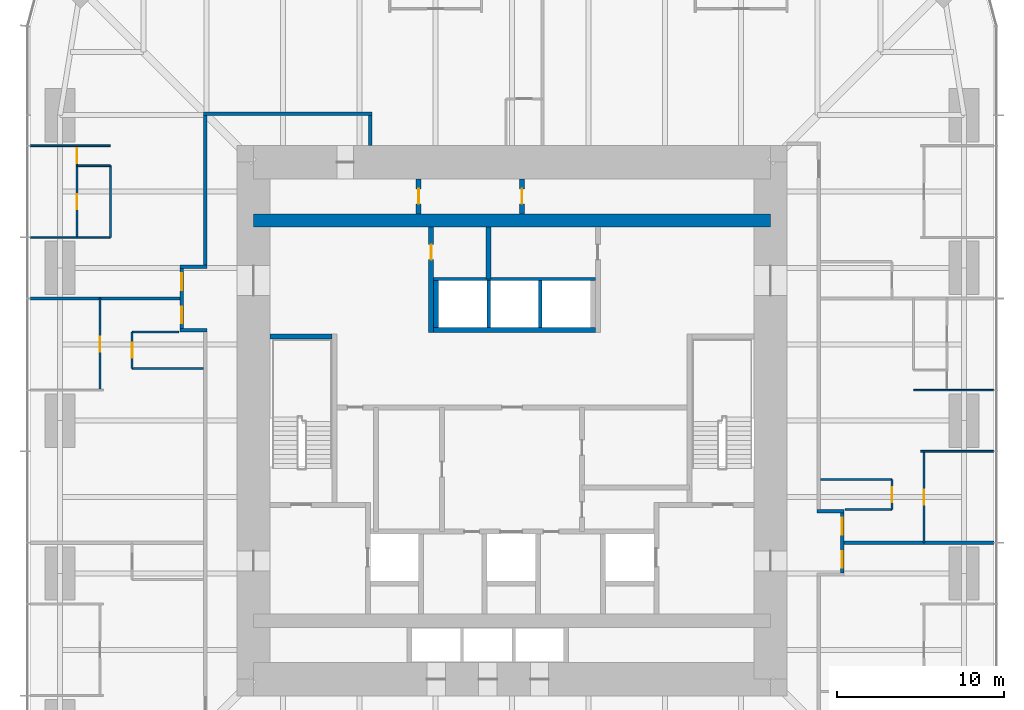
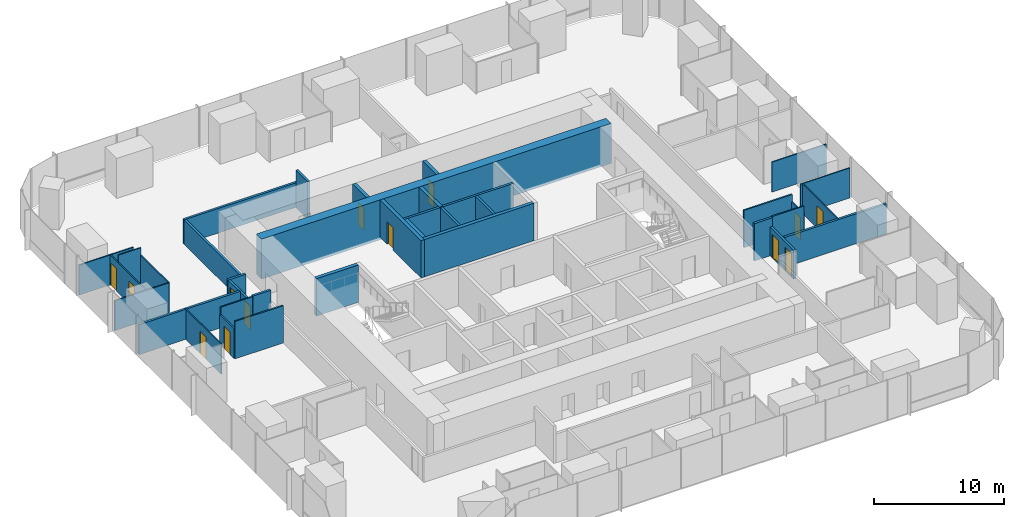
# One storey, part 11 of 13: 36 walls, 13 doors, 13 openings.
"""IFC4 building model written with IfcOpenShell, lengths in metres."""

from ifc_helpers import new_model, si_unit, direction, frame, frame_2d, origin, place, context, subcontext, project, spatial, rectangle, extrude, material, layer, layer_set, type_object, element, fill, save


model = new_model("IFC4")

# Units and contexts
model_context = context("Model", 3, precision=1e-05, world=origin(), true_north=direction((0.0, 1.0)))
body_context = subcontext(model_context, "Body", "Model", "MODEL_VIEW")
ifc_project = project(units=[si_unit("LENGTHUNIT", "METRE"), si_unit("AREAUNIT", "SQUARE_METRE"), si_unit("VOLUMEUNIT", "CUBIC_METRE"), si_unit("PLANEANGLEUNIT", "RADIAN"), si_unit("MASSUNIT", "GRAM", prefix="KILO")], contexts=[model_context])

# Site, building, storey
site_placement = place(None, origin())
site = spatial("IfcSite", under=ifc_project, at=site_placement, CompositionType="ELEMENT")
building_placement = place(site_placement, origin())
building = spatial("IfcBuilding", under=site, at=building_placement, Name="Khuree Lantern Residences", CompositionType="ELEMENT")
storey_placement = place(building_placement, frame((0.0, 0.0, 129.75)))
storey = spatial("IfcBuildingStorey", under=building, at=storey_placement, Name="L32", CompositionType="ELEMENT", Elevation=129.75)

# Wall, opening, door
ifc_material_1 = material(Name="Moisture-resistant gypsum board on steel studs", Category="steel")
ifc_layer_1 = layer(ifc_material_1, 0.125)
ifc_layer_set_1 = layer_set([ifc_layer_1], Name="BATHROOM WALL BTW125")
wall_type_1 = type_object("IfcWallType", Name="BATHROOM WALL BTW125", PredefinedType="PARTITIONING", material=ifc_layer_set_1)
wall_1_placement = place(storey_placement, frame((22.77978515625, -5.327880859375, 0.0), z_axis=(0.0, 0.0, 1.0), x_axis=(0.0, 1.0, 0.0)))
wall_1 = element("IfcWall", 1, at=wall_1_placement, inside=storey, type_object=wall_type_1, Name="L32 BATHROOM WALL 01", PredefinedType="PARTITIONING", context=body_context, shape_type="SweptSolid", body=[
    extrude(rectangle(XDim=1.7998046875, YDim=0.125, at=frame_2d((0.89990234375, 0.0))), origin(), (0.0, 0.0, 1.0), 2.81005859375),
])
opening_1_placement = place(wall_1_placement, frame((0.449951171875, 0.0, 0.0)))
opening_1 = element("IfcOpeningElement", 2, at=opening_1_placement, cuts=wall_1, Name="Opening 32-028", PredefinedType="OPENING", context=body_context, shape_type="SweptSolid", body=[
    extrude(rectangle(XDim=0.89990234375, YDim=2.10009765625, at=frame_2d((0.449951171875, 1.050048828125))), frame((0.0, 0.072509765625, 0.0), z_axis=(0.0, -1.0, 0.0), x_axis=(1.0, 0.0, 0.0)), (0.0, 0.0, 1.0), 0.14501953125),
])
ifc_material_2 = material(Name="Timber door leaf in hardwood frame", Category="wood")
door_type_1 = type_object("IfcDoorType", Name="BATHROOM DOOR 900X2100", OperationType="SINGLE_SWING_LEFT", PredefinedType="DOOR", material=ifc_material_2)
door_1_placement = place(opening_1_placement, origin())
door_1 = element("IfcDoor", 3, at=door_1_placement, inside=storey, type_object=door_type_1, Name="Bathroom door 32-028", OperationType="SINGLE_SWING_LEFT", OverallHeight=2.10009765625, OverallWidth=0.89990234375, PredefinedType="DOOR", context=body_context, shape_type="SweptSolid", body=[
    extrude(rectangle(XDim=0.89990234375, YDim=2.10009765625, at=frame_2d((0.449951171875, 1.050048828125))), frame((0.0, 0.02490234375, 0.0), z_axis=(0.0, -1.0, 0.0), x_axis=(1.0, 0.0, 0.0)), (0.0, 0.0, 1.0), 0.050048828125),
])
fill(opening_1, door_1)

# Walls
wall_2_placement = place(storey_placement, frame((19.969970703125, -5.327880859375, 0.0), z_axis=(0.0, 0.0, 1.0), x_axis=(1.0, 0.0, 0.0)))
element("IfcWall", 4, at=wall_2_placement, inside=storey, type_object=wall_type_1, Name="L32 BATHROOM WALL 01", PredefinedType="PARTITIONING", context=body_context, shape_type="SweptSolid", body=[
    extrude(rectangle(XDim=2.809814453125, YDim=0.125, at=frame_2d((1.40478515625, 0.0))), origin(), (0.0, 0.0, 1.0), 3.5),
])
wall_3_placement = place(storey_placement, frame((18.5, -3.528076171875, 0.0), z_axis=(0.0, 0.0, 1.0), x_axis=(1.0, 0.0, 0.0)))
element("IfcWall", 5, at=wall_3_placement, inside=storey, type_object=wall_type_1, Name="L32 BATHROOM WALL 01", PredefinedType="PARTITIONING", context=body_context, shape_type="SweptSolid", body=[
    extrude(rectangle(XDim=4.27978515625, YDim=0.125, at=frame_2d((2.139892578125, 0.0))), origin(), (0.0, 0.0, 1.0), 3.5),
])

# Wall, opening, door
wall_4_placement = place(storey_placement, frame((-22.77978515625, 5.327880859375, 0.0), z_axis=(0.0, 0.0, 1.0), x_axis=(0.0, -1.0, 0.0)))
wall_4 = element("IfcWall", 6, at=wall_4_placement, inside=storey, type_object=wall_type_1, Name="L32 BATHROOM WALL 04", PredefinedType="PARTITIONING", context=body_context, shape_type="SweptSolid", body=[
    extrude(rectangle(XDim=2.199951171875, YDim=0.125, at=frame_2d((1.10009765625, 0.0))), origin(), (0.0, 0.0, 1.0), 2.81005859375),
])
opening_2_placement = place(wall_4_placement, frame((0.64990234375, 0.0, 0.0)))
opening_2 = element("IfcOpeningElement", 7, at=opening_2_placement, cuts=wall_4, Name="Opening 32-040", PredefinedType="OPENING", context=body_context, shape_type="SweptSolid", body=[
    extrude(rectangle(XDim=0.89990234375, YDim=2.10009765625, at=frame_2d((0.449951171875, 1.050048828125))), frame((0.0, 0.072509765625, 0.0), z_axis=(0.0, -1.0, 0.0), x_axis=(1.0, 0.0, 0.0)), (0.0, 0.0, 1.0), 0.14501953125),
])
door_2_placement = place(opening_2_placement, origin())
door_2 = element("IfcDoor", 8, at=door_2_placement, inside=storey, type_object=door_type_1, Name="Bathroom door 32-040", OperationType="SINGLE_SWING_LEFT", OverallHeight=2.10009765625, OverallWidth=0.89990234375, PredefinedType="DOOR", context=body_context, shape_type="SweptSolid", body=[
    extrude(rectangle(XDim=0.89990234375, YDim=2.10009765625, at=frame_2d((0.449951171875, 1.050048828125))), frame((0.0, 0.02490234375, 0.0), z_axis=(0.0, -1.0, 0.0), x_axis=(1.0, 0.0, 0.0)), (0.0, 0.0, 1.0), 0.050048828125),
])
fill(opening_2, door_2)

# Walls
wall_5_placement = place(storey_placement, frame((-19.969970703125, 5.327880859375, 0.0), z_axis=(0.0, 0.0, 1.0), x_axis=(-1.0, 0.0, 0.0)))
element("IfcWall", 9, at=wall_5_placement, inside=storey, type_object=wall_type_1, Name="L32 BATHROOM WALL 04", PredefinedType="PARTITIONING", context=body_context, shape_type="SweptSolid", body=[
    extrude(rectangle(XDim=2.809814453125, YDim=0.125, at=frame_2d((1.40478515625, 0.0))), origin(), (0.0, 0.0, 1.0), 3.5),
])
wall_6_placement = place(storey_placement, frame((-18.5, 3.1279296875, 0.0), z_axis=(0.0, 0.0, 1.0), x_axis=(-1.0, 0.0, 0.0)))
element("IfcWall", 10, at=wall_6_placement, inside=storey, type_object=wall_type_1, Name="L32 BATHROOM WALL 04", PredefinedType="PARTITIONING", context=body_context, shape_type="SweptSolid", body=[
    extrude(rectangle(XDim=4.27978515625, YDim=0.125, at=frame_2d((2.139892578125, 0.0))), origin(), (0.0, 0.0, 1.0), 3.5),
])
ifc_material_3 = material(Name="Dense concrete blockwork", Category="masonry")
ifc_layer_2 = layer(ifc_material_3, 0.300048828125)
ifc_layer_set_2 = layer_set([ifc_layer_2], Name="CORE PARTITION WALL CPW300 EI 120")
wall_type_2 = type_object("IfcWallType", Name="CORE PARTITION WALL CPW300 EI 120", PredefinedType="PARTITIONING", material=ifc_layer_set_2)
wall_7_placement = place(storey_placement, frame((-4.699951171875, 5.449951171875, 0.0), z_axis=(0.0, 0.0, 1.0), x_axis=(1.0, 0.0, 0.0)))
element("IfcWall", 11, at=wall_7_placement, inside=storey, type_object=wall_type_2, Name="L32 CORE WALL PHS", PredefinedType="PARTITIONING", context=body_context, shape_type="SweptSolid", body=[
    extrude(rectangle(XDim=9.699951171875, YDim=0.300048828125, at=frame_2d((4.85009765625, 0.0))), origin(), (0.0, 0.0, 1.0), 3.5),
])
wall_8_placement = place(storey_placement, frame((-4.550048828125, 5.60009765625, 0.0), z_axis=(0.0, 0.0, 1.0), x_axis=(0.0, 1.0, 0.0)))
element("IfcWall", 12, at=wall_8_placement, inside=storey, type_object=wall_type_2, Name="L32 CORE WALL PHW", PredefinedType="PARTITIONING", context=body_context, shape_type="SweptSolid", body=[
    extrude(rectangle(XDim=2.7998046875, YDim=0.300048828125, at=frame_2d((1.39990234375, 0.0))), origin(), (0.0, 0.0, 1.0), 3.5),
])

# Wall, opening, door
wall_9_placement = place(storey_placement, frame((-4.85009765625, 5.300048828125, 0.0), z_axis=(0.0, 0.0, 1.0), x_axis=(0.0, 1.0, 0.0)))
wall_9 = element("IfcWall", 13, at=wall_9_placement, inside=storey, type_object=wall_type_2, Name="L32 CORE WALL NW", PredefinedType="PARTITIONING", context=body_context, shape_type="SweptSolid", body=[
    extrude(rectangle(XDim=6.300048828125, YDim=0.300048828125, at=frame_2d((3.14990234375, 0.0))), origin(), (0.0, 0.0, 1.0), 3.5),
])
opening_3_placement = place(wall_9_placement, frame((4.35009765625, 0.0, 0.0)))
opening_3 = element("IfcOpeningElement", 14, at=opening_3_placement, cuts=wall_9, Name="Opening 32-020", PredefinedType="OPENING", context=body_context, shape_type="SweptSolid", body=[
    extrude(rectangle(XDim=0.89990234375, YDim=2.10009765625, at=frame_2d((0.449951171875, 1.050048828125))), frame((0.0, 0.16015625, 0.0), z_axis=(0.0, -1.0, 0.0), x_axis=(1.0, 0.0, 0.0)), (0.0, 0.0, 1.0), 0.320068359375),
])
door_type_2 = type_object("IfcDoorType", Name="DOOR 900X2100 RIGHT HAND", OperationType="SINGLE_SWING_RIGHT", PredefinedType="DOOR", material=ifc_material_2)
door_3_placement = place(opening_3_placement, origin())
door_3 = element("IfcDoor", 15, at=door_3_placement, inside=storey, type_object=door_type_2, Name="Building management room door 32-020", OperationType="SINGLE_SWING_RIGHT", OverallHeight=2.10009765625, OverallWidth=0.89990234375, PredefinedType="DOOR", context=body_context, shape_type="SweptSolid", body=[
    extrude(rectangle(XDim=0.89990234375, YDim=2.10009765625, at=frame_2d((0.449951171875, 1.050048828125))), frame((0.0, 0.02490234375, 0.0), z_axis=(0.0, -1.0, 0.0), x_axis=(1.0, 0.0, 0.0)), (0.0, 0.0, 1.0), 0.050048828125),
])
fill(opening_3, door_3)

# Wall
wall_10_placement = place(storey_placement, frame((-1.39990234375, 8.5, 0.0), z_axis=(0.0, 0.0, 1.0), x_axis=(0.0, 1.0, 0.0)))
element("IfcWall", 16, at=wall_10_placement, inside=storey, type_object=wall_type_2, Name="L32 CORE WALL NX", PredefinedType="PARTITIONING", context=body_context, shape_type="SweptSolid", body=[
    extrude(rectangle(XDim=3.10009765625, YDim=0.300048828125, at=frame_2d((1.550048828125, 0.0))), origin(), (0.0, 0.0, 1.0), 3.5),
])

# Wall, opening, door
wall_11_placement = place(storey_placement, frame((-5.60009765625, 12.39990234375, 0.0), z_axis=(0.0, 0.0, 1.0), x_axis=(0.0, 1.0, 0.0)))
wall_11 = element("IfcWall", 17, at=wall_11_placement, inside=storey, type_object=wall_type_2, Name="L32 CORE WALL PLX", PredefinedType="PARTITIONING", context=body_context, shape_type="SweptSolid", body=[
    extrude(rectangle(XDim=2.10009765625, YDim=0.300048828125, at=frame_2d((1.050048828125, 0.0))), origin(), (0.0, 0.0, 1.0), 3.5),
])
opening_4_placement = place(wall_11_placement, frame((0.60009765625, 0.0, 0.0)))
opening_4 = element("IfcOpeningElement", 18, at=opening_4_placement, cuts=wall_11, Name="Opening 32-022", PredefinedType="OPENING", context=body_context, shape_type="SweptSolid", body=[
    extrude(rectangle(XDim=0.89990234375, YDim=2.10009765625, at=frame_2d((0.449951171875, 1.050048828125))), frame((0.0, 0.16015625, 0.0), z_axis=(0.0, -1.0, 0.0), x_axis=(1.0, 0.0, 0.0)), (0.0, 0.0, 1.0), 0.320068359375),
])
door_type_3 = type_object("IfcDoorType", Name="DOOR 900X2100", OperationType="SINGLE_SWING_LEFT", PredefinedType="DOOR", material=ifc_material_2)
door_4_placement = place(opening_4_placement, origin())
door_4 = element("IfcDoor", 19, at=door_4_placement, inside=storey, type_object=door_type_3, Name="Store door 32-022", OperationType="SINGLE_SWING_LEFT", OverallHeight=2.10009765625, OverallWidth=0.89990234375, PredefinedType="DOOR", context=body_context, shape_type="SweptSolid", body=[
    extrude(rectangle(XDim=0.89990234375, YDim=2.10009765625, at=frame_2d((0.449951171875, 1.050048828125))), frame((0.0, 0.02490234375, 0.0), z_axis=(0.0, -1.0, 0.0), x_axis=(1.0, 0.0, 0.0)), (0.0, 0.0, 1.0), 0.050048828125),
])
fill(opening_4, door_4)

wall_12_placement = place(storey_placement, frame((0.60009765625, 12.39990234375, 0.0), z_axis=(0.0, 0.0, 1.0), x_axis=(0.0, 1.0, 0.0)))
wall_12 = element("IfcWall", 20, at=wall_12_placement, inside=storey, type_object=wall_type_2, Name="L32 CORE WALL PLY", PredefinedType="PARTITIONING", context=body_context, shape_type="SweptSolid", body=[
    extrude(rectangle(XDim=2.10009765625, YDim=0.300048828125, at=frame_2d((1.050048828125, 0.0))), origin(), (0.0, 0.0, 1.0), 3.5),
])
opening_5_placement = place(wall_12_placement, frame((0.60009765625, 0.0, 0.0)))
opening_5 = element("IfcOpeningElement", 21, at=opening_5_placement, cuts=wall_12, Name="Opening 32-023", PredefinedType="OPENING", context=body_context, shape_type="SweptSolid", body=[
    extrude(rectangle(XDim=0.89990234375, YDim=2.10009765625, at=frame_2d((0.449951171875, 1.050048828125))), frame((0.0, 0.16015625, 0.0), z_axis=(0.0, -1.0, 0.0), x_axis=(1.0, 0.0, 0.0)), (0.0, 0.0, 1.0), 0.320068359375),
])
door_5_placement = place(opening_5_placement, origin())
door_5 = element("IfcDoor", 22, at=door_5_placement, inside=storey, type_object=door_type_3, Name="Maintenance store door 32-023", OperationType="SINGLE_SWING_LEFT", OverallHeight=2.10009765625, OverallWidth=0.89990234375, PredefinedType="DOOR", context=body_context, shape_type="SweptSolid", body=[
    extrude(rectangle(XDim=0.89990234375, YDim=2.10009765625, at=frame_2d((0.449951171875, 1.050048828125))), frame((0.0, 0.02490234375, 0.0), z_axis=(0.0, -1.0, 0.0), x_axis=(1.0, 0.0, 0.0)), (0.0, 0.0, 1.0), 0.050048828125),
])
fill(opening_5, door_5)

# Walls
ifc_material_4 = material(Name="Gypsum board on steel studs", Category="steel")
ifc_layer_3 = layer(ifc_material_4, 0.199951171875)
ifc_layer_set_3 = layer_set([ifc_layer_3], Name="CORRIDOR WALL CRW200 EI 60")
wall_type_3 = type_object("IfcWallType", Name="CORRIDOR WALL CRW200 EI 60", PredefinedType="PARTITIONING", material=ifc_layer_set_3)
wall_13_placement = place(storey_placement, frame((-18.5, 18.39990234375, 0.0), z_axis=(0.0, 0.0, 1.0), x_axis=(1.0, 0.0, 0.0)))
element("IfcWall", 23, at=wall_13_placement, inside=storey, type_object=wall_type_3, Name="L32 CORRIDOR WALL NORTH", PredefinedType="PARTITIONING", context=body_context, shape_type="SweptSolid", body=[
    extrude(rectangle(XDim=10.10009765625, YDim=0.199951171875, at=frame_2d((5.050048828125, 0.0))), origin(), (0.0, 0.0, 1.0), 2.300048828125),
])
wall_14_placement = place(storey_placement, frame((-8.5, 18.300048828125, 0.0), z_axis=(0.0, 0.0, 1.0), x_axis=(0.0, -1.0, 0.0)))
element("IfcWall", 24, at=wall_14_placement, inside=storey, type_object=wall_type_3, Name="L32 NORTH CORRIDOR END WALL", PredefinedType="PARTITIONING", context=body_context, shape_type="SweptSolid", body=[
    extrude(rectangle(XDim=1.800048828125, YDim=0.199951171875, at=frame_2d((0.89990234375, 0.0))), origin(), (0.0, 0.0, 1.0), 3.5),
])
wall_15_placement = place(storey_placement, frame((18.300048828125, -5.427978515625, 0.0), z_axis=(0.0, 0.0, 1.0), x_axis=(1.0, 0.0, 0.0)))
element("IfcWall", 25, at=wall_15_placement, inside=storey, type_object=wall_type_3, Name="L32 CORRIDOR ALCOVE WALL EAST", PredefinedType="PARTITIONING", context=body_context, shape_type="SweptSolid", body=[
    extrude(rectangle(XDim=1.599853515625, YDim=0.199951171875, at=frame_2d((0.7998046875, 0.0))), origin(), (0.0, 0.0, 1.0), 3.5),
])

# Wall, openings, doors
wall_16_placement = place(storey_placement, frame((19.800048828125, -9.1279296875, 0.0), z_axis=(0.0, 0.0, 1.0), x_axis=(0.0, 1.0, 0.0)))
wall_16 = element("IfcWall", 26, at=wall_16_placement, inside=storey, type_object=wall_type_3, Name="L32 CORRIDOR ALCOVE WALL EAST", PredefinedType="PARTITIONING", context=body_context, shape_type="SweptSolid", body=[
    extrude(rectangle(XDim=3.599853515625, YDim=0.199951171875, at=frame_2d((1.7998046875, 0.0))), origin(), (0.0, 0.0, 1.0), 2.699951171875),
])
opening_6_placement = place(wall_16_placement, frame((2.300048828125, 0.0, 0.0)))
opening_6 = element("IfcOpeningElement", 27, at=opening_6_placement, cuts=wall_16, Name="Opening 32-029", PredefinedType="OPENING", context=body_context, shape_type="SweptSolid", body=[
    extrude(rectangle(XDim=1.0, YDim=2.199951171875, at=frame_2d((0.5, 1.10009765625))), frame((0.0, 0.10986328125, 0.0), z_axis=(0.0, -1.0, 0.0), x_axis=(1.0, 0.0, 0.0)), (0.0, 0.0, 1.0), 0.219970703125),
])
opening_7_placement = place(wall_16_placement, frame((0.300048828125, 0.0, 0.0)))
opening_7 = element("IfcOpeningElement", 28, at=opening_7_placement, cuts=wall_16, Name="Opening 32-055", PredefinedType="OPENING", context=body_context, shape_type="SweptSolid", body=[
    extrude(rectangle(XDim=1.0, YDim=2.199951171875, at=frame_2d((0.5, 1.10009765625))), frame((0.0, 0.10986328125, 0.0), z_axis=(0.0, -1.0, 0.0), x_axis=(1.0, 0.0, 0.0)), (0.0, 0.0, 1.0), 0.219970703125),
])
door_type_4 = type_object("IfcDoorType", Name="APARTMENT ENTRANCE DOOR 1000X2200 EI 30S", OperationType="SINGLE_SWING_LEFT", PredefinedType="DOOR", material=ifc_material_2)
door_6_placement = place(opening_7_placement, origin())
door_6 = element("IfcDoor", 29, at=door_6_placement, inside=storey, type_object=door_type_4, Name="Apartment 07 entrance door 32-055", OperationType="SINGLE_SWING_LEFT", OverallHeight=2.199951171875, OverallWidth=1.0, PredefinedType="DOOR", context=body_context, shape_type="SweptSolid", body=[
    extrude(rectangle(XDim=1.0, YDim=2.199951171875, at=frame_2d((0.5, 1.10009765625))), frame((0.0, 0.02490234375, 0.0), z_axis=(0.0, -1.0, 0.0), x_axis=(1.0, 0.0, 0.0)), (0.0, 0.0, 1.0), 0.050048828125),
])
fill(opening_7, door_6)
door_type_5 = type_object("IfcDoorType", Name="APARTMENT ENTRANCE DOOR 1000X2200 EI 30S RIGHT HAND", OperationType="SINGLE_SWING_RIGHT", PredefinedType="DOOR", material=ifc_material_2)
door_7_placement = place(opening_6_placement, origin())
door_7 = element("IfcDoor", 30, at=door_7_placement, inside=storey, type_object=door_type_5, Name="Apartment 01 entrance door 32-029", OperationType="SINGLE_SWING_RIGHT", OverallHeight=2.199951171875, OverallWidth=1.0, PredefinedType="DOOR", context=body_context, shape_type="SweptSolid", body=[
    extrude(rectangle(XDim=1.0, YDim=2.199951171875, at=frame_2d((0.5, 1.10009765625))), frame((0.0, 0.02490234375, 0.0), z_axis=(0.0, -1.0, 0.0), x_axis=(1.0, 0.0, 0.0)), (0.0, 0.0, 1.0), 0.050048828125),
])
fill(opening_6, door_7)

# Walls
wall_17_placement = place(storey_placement, frame((-18.39990234375, 18.300048828125, 0.0), z_axis=(0.0, 0.0, 1.0), x_axis=(0.0, -1.0, 0.0)))
element("IfcWall", 31, at=wall_17_placement, inside=storey, type_object=wall_type_3, Name="L32 CORRIDOR WALL WEST 1", PredefinedType="PARTITIONING", context=body_context, shape_type="SweptSolid", body=[
    extrude(rectangle(XDim=8.97216796875, YDim=0.199951171875, at=frame_2d((4.486083984375, 0.0))), origin(), (0.0, 0.0, 1.0), 2.300048828125),
])
wall_18_placement = place(storey_placement, frame((-18.300048828125, 9.22802734375, 0.0), z_axis=(0.0, 0.0, 1.0), x_axis=(-1.0, 0.0, 0.0)))
element("IfcWall", 32, at=wall_18_placement, inside=storey, type_object=wall_type_3, Name="L32 CORRIDOR ALCOVE WALL WEST", PredefinedType="PARTITIONING", context=body_context, shape_type="SweptSolid", body=[
    extrude(rectangle(XDim=1.599853515625, YDim=0.199951171875, at=frame_2d((0.7998046875, 0.0))), origin(), (0.0, 0.0, 1.0), 2.699951171875),
])
wall_19_placement = place(storey_placement, frame((-18.300048828125, 5.427978515625, 0.0), z_axis=(0.0, 0.0, 1.0), x_axis=(-1.0, 0.0, 0.0)))
element("IfcWall", 33, at=wall_19_placement, inside=storey, type_object=wall_type_3, Name="L32 CORRIDOR ALCOVE WALL WEST", PredefinedType="PARTITIONING", context=body_context, shape_type="SweptSolid", body=[
    extrude(rectangle(XDim=1.599853515625, YDim=0.199951171875, at=frame_2d((0.7998046875, 0.0))), origin(), (0.0, 0.0, 1.0), 3.5),
])

# Wall, openings, doors
wall_20_placement = place(storey_placement, frame((-19.800048828125, 9.1279296875, 0.0), z_axis=(0.0, 0.0, 1.0), x_axis=(0.0, -1.0, 0.0)))
wall_20 = element("IfcWall", 34, at=wall_20_placement, inside=storey, type_object=wall_type_3, Name="L32 CORRIDOR ALCOVE WALL WEST", PredefinedType="PARTITIONING", context=body_context, shape_type="SweptSolid", body=[
    extrude(rectangle(XDim=3.599853515625, YDim=0.199951171875, at=frame_2d((1.7998046875, 0.0))), origin(), (0.0, 0.0, 1.0), 2.699951171875),
])
opening_8_placement = place(wall_20_placement, frame((0.300048828125, 0.0, 0.0)))
opening_8 = element("IfcOpeningElement", 35, at=opening_8_placement, cuts=wall_20, Name="Opening 32-038", PredefinedType="OPENING", context=body_context, shape_type="SweptSolid", body=[
    extrude(rectangle(XDim=1.0, YDim=2.199951171875, at=frame_2d((0.5, 1.10009765625))), frame((0.0, 0.10986328125, 0.0), z_axis=(0.0, -1.0, 0.0), x_axis=(1.0, 0.0, 0.0)), (0.0, 0.0, 1.0), 0.219970703125),
])
opening_9_placement = place(wall_20_placement, frame((2.300048828125, 0.0, 0.0)))
opening_9 = element("IfcOpeningElement", 36, at=opening_9_placement, cuts=wall_20, Name="Opening 32-041", PredefinedType="OPENING", context=body_context, shape_type="SweptSolid", body=[
    extrude(rectangle(XDim=1.0, YDim=2.199951171875, at=frame_2d((0.5, 1.10009765625))), frame((0.0, 0.10986328125, 0.0), z_axis=(0.0, -1.0, 0.0), x_axis=(1.0, 0.0, 0.0)), (0.0, 0.0, 1.0), 0.219970703125),
])
door_8_placement = place(opening_8_placement, origin())
door_8 = element("IfcDoor", 37, at=door_8_placement, inside=storey, type_object=door_type_4, Name="Apartment 03 entrance door 32-038", OperationType="SINGLE_SWING_LEFT", OverallHeight=2.199951171875, OverallWidth=1.0, PredefinedType="DOOR", context=body_context, shape_type="SweptSolid", body=[
    extrude(rectangle(XDim=1.0, YDim=2.199951171875, at=frame_2d((0.5, 1.10009765625))), frame((0.0, 0.02490234375, 0.0), z_axis=(0.0, -1.0, 0.0), x_axis=(1.0, 0.0, 0.0)), (0.0, 0.0, 1.0), 0.050048828125),
])
fill(opening_8, door_8)
door_9_placement = place(opening_9_placement, origin())
door_9 = element("IfcDoor", 38, at=door_9_placement, inside=storey, type_object=door_type_5, Name="Apartment 04 entrance door 32-041", OperationType="SINGLE_SWING_RIGHT", OverallHeight=2.199951171875, OverallWidth=1.0, PredefinedType="DOOR", context=body_context, shape_type="SweptSolid", body=[
    extrude(rectangle(XDim=1.0, YDim=2.199951171875, at=frame_2d((0.5, 1.10009765625))), frame((0.0, 0.02490234375, 0.0), z_axis=(0.0, -1.0, 0.0), x_axis=(1.0, 0.0, 0.0)), (0.0, 0.0, 1.0), 0.050048828125),
])
fill(opening_9, door_9)

# Walls
ifc_layer_4 = layer(ifc_material_4, 0.199951171875)
ifc_layer_set_4 = layer_set([ifc_layer_4], Name="DEMISING WALL DMW200 EI 90")
wall_type_4 = type_object("IfcWallType", Name="DEMISING WALL DMW200 EI 90", PredefinedType="PARTITIONING", material=ifc_layer_set_4)
for number, where, z_axis, x_axis, name in (
    (39, (19.89990234375, -7.327880859375, 0.0), (0.0, 0.0, 1.0), (1.0, 0.0, 0.0), "L32 DEMISING WALL 01"),
    (40, (-19.89990234375, 7.327880859375, 0.0), (0.0, 0.0, 1.0), (-1.0, 0.0, 0.0), "L32 DEMISING WALL 04"),
):
    element("IfcWall", number, at=place(storey_placement, frame(where, z_axis=z_axis, x_axis=x_axis)), inside=storey, type_object=wall_type_4, Name=name, PredefinedType="PARTITIONING", context=body_context, shape_type="SweptSolid", body=[
        extrude(rectangle(XDim=9.0, YDim=0.199951171875, at=frame_2d((4.5, 0.0))), origin(), (0.0, 0.0, 1.0), 2.81005859375),
    ])
ifc_layer_5 = layer(ifc_material_4, 0.10009765625)
ifc_layer_set_5 = layer_set([ifc_layer_5], Name="PARTITION PT100")
wall_type_5 = type_object("IfcWallType", Name="PARTITION PT100", PredefinedType="PARTITIONING", material=ifc_layer_set_5)
wall_21_placement = place(storey_placement, frame((24.5, -1.83203125, 0.0), z_axis=(0.0, 0.0, 1.0), x_axis=(1.0, 0.0, 0.0)))
element("IfcWall", 41, at=wall_21_placement, inside=storey, type_object=wall_type_5, Name="L32 PARTITION 01", PredefinedType="PARTITIONING", context=body_context, shape_type="SweptSolid", body=[
    extrude(rectangle(XDim=4.39990234375, YDim=0.10009765625, at=frame_2d((2.199951171875, 0.0))), origin(), (0.0, 0.0, 1.0), 2.81005859375),
])
for number, where, z_axis, x_axis, name in (
    (42, (24.079833984375, 1.83203125, 0.0), (0.0, 0.0, 1.0), (1.0, 0.0, 0.0), "L32 PARTITION 01"),
    (43, (-24.079833984375, 16.488037109375, 0.0), (0.0, 0.0, 1.0), (-1.0, 0.0, 0.0), "L32 PARTITION 03"),
    (44, (-24.079833984375, 10.991943359375, 0.0), (0.0, 0.0, 1.0), (-1.0, 0.0, 0.0), "L32 PARTITION 03"),
):
    element("IfcWall", number, at=place(storey_placement, frame(where, z_axis=z_axis, x_axis=x_axis)), inside=storey, type_object=wall_type_5, Name=name, PredefinedType="PARTITIONING", context=body_context, shape_type="SweptSolid", body=[
        extrude(rectangle(XDim=4.820068359375, YDim=0.10009765625, at=frame_2d((2.41015625, 0.0))), origin(), (0.0, 0.0, 1.0), 2.81005859375),
    ])

# Wall, opening, door
wall_22_placement = place(storey_placement, frame((24.699951171875, -7.327880859375, 0.0), z_axis=(0.0, 0.0, 1.0), x_axis=(0.0, 1.0, 0.0)))
wall_22 = element("IfcWall", 45, at=wall_22_placement, inside=storey, type_object=wall_type_5, Name="L32 PARTITION 01", PredefinedType="PARTITIONING", context=body_context, shape_type="SweptSolid", body=[
    extrude(rectangle(XDim=5.495849609375, YDim=0.10009765625, at=frame_2d((2.748046875, 0.0))), origin(), (0.0, 0.0, 1.0), 2.81005859375),
])
opening_10_placement = place(wall_22_placement, frame((2.298095703125, 0.0, 0.0)))
opening_10 = element("IfcOpeningElement", 46, at=opening_10_placement, cuts=wall_22, Name="Opening 32-025", PredefinedType="OPENING", context=body_context, shape_type="SweptSolid", body=[
    extrude(rectangle(XDim=0.89990234375, YDim=2.10009765625, at=frame_2d((0.449951171875, 1.050048828125))), frame((0.0, 0.06005859375, 0.0), z_axis=(0.0, -1.0, 0.0), x_axis=(1.0, 0.0, 0.0)), (0.0, 0.0, 1.0), 0.1201171875),
])
door_type_6 = type_object("IfcDoorType", Name="BEDROOM DOOR 900X2100", OperationType="SINGLE_SWING_LEFT", PredefinedType="DOOR", material=ifc_material_2)
door_10_placement = place(opening_10_placement, origin())
door_10 = element("IfcDoor", 47, at=door_10_placement, inside=storey, type_object=door_type_6, Name="Bedroom door 32-025", OperationType="SINGLE_SWING_LEFT", OverallHeight=2.10009765625, OverallWidth=0.89990234375, PredefinedType="DOOR", context=body_context, shape_type="SweptSolid", body=[
    extrude(rectangle(XDim=0.89990234375, YDim=2.10009765625, at=frame_2d((0.449951171875, 1.050048828125))), frame((0.0, 0.02490234375, 0.0), z_axis=(0.0, -1.0, 0.0), x_axis=(1.0, 0.0, 0.0)), (0.0, 0.0, 1.0), 0.050048828125),
])
fill(opening_10, door_10)

# Wall, openings, doors
wall_23_placement = place(storey_placement, frame((-26.079833984375, 16.488037109375, 0.0), z_axis=(0.0, 0.0, 1.0), x_axis=(0.0, -1.0, 0.0)))
wall_23 = element("IfcWall", 48, at=wall_23_placement, inside=storey, type_object=wall_type_5, Name="L32 PARTITION 03", PredefinedType="PARTITIONING", context=body_context, shape_type="SweptSolid", body=[
    extrude(rectangle(XDim=5.49609375, YDim=0.10009765625, at=frame_2d((2.748046875, 0.0))), origin(), (0.0, 0.0, 1.0), 2.81005859375),
])
opening_11_placement = place(wall_23_placement, frame((0.14990234375, 0.0, 0.0)))
opening_11 = element("IfcOpeningElement", 49, at=opening_11_placement, cuts=wall_23, Name="Opening 32-035", PredefinedType="OPENING", context=body_context, shape_type="SweptSolid", body=[
    extrude(rectangle(XDim=0.89990234375, YDim=2.10009765625, at=frame_2d((0.449951171875, 1.050048828125))), frame((0.0, 0.06005859375, 0.0), z_axis=(0.0, -1.0, 0.0), x_axis=(1.0, 0.0, 0.0)), (0.0, 0.0, 1.0), 0.1201171875),
])
opening_12_placement = place(wall_23_placement, frame((2.89794921875, 0.0, 0.0)))
opening_12 = element("IfcOpeningElement", 50, at=opening_12_placement, cuts=wall_23, Name="Opening 32-036", PredefinedType="OPENING", context=body_context, shape_type="SweptSolid", body=[
    extrude(rectangle(XDim=0.89990234375, YDim=2.10009765625, at=frame_2d((0.449951171875, 1.050048828125))), frame((0.0, 0.06005859375, 0.0), z_axis=(0.0, -1.0, 0.0), x_axis=(1.0, 0.0, 0.0)), (0.0, 0.0, 1.0), 0.1201171875),
])
door_11_placement = place(opening_11_placement, origin())
door_11 = element("IfcDoor", 51, at=door_11_placement, inside=storey, type_object=door_type_6, Name="Bedroom door 32-035", OperationType="SINGLE_SWING_LEFT", OverallHeight=2.10009765625, OverallWidth=0.89990234375, PredefinedType="DOOR", context=body_context, shape_type="SweptSolid", body=[
    extrude(rectangle(XDim=0.89990234375, YDim=2.10009765625, at=frame_2d((0.449951171875, 1.050048828125))), frame((0.0, 0.02490234375, 0.0), z_axis=(0.0, -1.0, 0.0), x_axis=(1.0, 0.0, 0.0)), (0.0, 0.0, 1.0), 0.050048828125),
])
fill(opening_11, door_11)
door_12_placement = place(opening_12_placement, origin())
door_12 = element("IfcDoor", 52, at=door_12_placement, inside=storey, type_object=door_type_3, Name="Wardrobe door 32-036", OperationType="SINGLE_SWING_LEFT", OverallHeight=2.10009765625, OverallWidth=0.89990234375, PredefinedType="DOOR", context=body_context, shape_type="SweptSolid", body=[
    extrude(rectangle(XDim=0.89990234375, YDim=2.10009765625, at=frame_2d((0.449951171875, 1.050048828125))), frame((0.0, 0.02490234375, 0.0), z_axis=(0.0, -1.0, 0.0), x_axis=(1.0, 0.0, 0.0)), (0.0, 0.0, 1.0), 0.050048828125),
])
fill(opening_12, door_12)

# Walls
wall_24_placement = place(storey_placement, frame((-24.079833984375, 15.2880859375, 0.0), z_axis=(0.0, 0.0, 1.0), x_axis=(-1.0, 0.0, 0.0)))
element("IfcWall", 53, at=wall_24_placement, inside=storey, type_object=wall_type_5, Name="L32 PARTITION 03", PredefinedType="PARTITIONING", context=body_context, shape_type="SweptSolid", body=[
    extrude(rectangle(XDim=2.0, YDim=0.10009765625, at=frame_2d((1.0, 0.0))), origin(), (0.0, 0.0, 1.0), 3.5),
])
wall_25_placement = place(storey_placement, frame((-24.079833984375, 15.2880859375, 0.0), z_axis=(0.0, 0.0, 1.0), x_axis=(0.0, -1.0, 0.0)))
element("IfcWall", 54, at=wall_25_placement, inside=storey, type_object=wall_type_5, Name="L32 PARTITION 03", PredefinedType="PARTITIONING", context=body_context, shape_type="SweptSolid", body=[
    extrude(rectangle(XDim=4.296142578125, YDim=0.10009765625, at=frame_2d((2.14794921875, 0.0))), origin(), (0.0, 0.0, 1.0), 2.81005859375),
])

# Wall, opening, door
wall_26_placement = place(storey_placement, frame((-24.699951171875, 7.327880859375, 0.0), z_axis=(0.0, 0.0, 1.0), x_axis=(0.0, -1.0, 0.0)))
wall_26 = element("IfcWall", 55, at=wall_26_placement, inside=storey, type_object=wall_type_5, Name="L32 PARTITION 04", PredefinedType="PARTITIONING", context=body_context, shape_type="SweptSolid", body=[
    extrude(rectangle(XDim=5.495849609375, YDim=0.10009765625, at=frame_2d((2.748046875, 0.0))), origin(), (0.0, 0.0, 1.0), 2.81005859375),
])
opening_13_placement = place(wall_26_placement, frame((2.298095703125, 0.0, 0.0)))
opening_13 = element("IfcOpeningElement", 56, at=opening_13_placement, cuts=wall_26, Name="Opening 32-039", PredefinedType="OPENING", context=body_context, shape_type="SweptSolid", body=[
    extrude(rectangle(XDim=0.89990234375, YDim=2.10009765625, at=frame_2d((0.449951171875, 1.050048828125))), frame((0.0, 0.06005859375, 0.0), z_axis=(0.0, -1.0, 0.0), x_axis=(1.0, 0.0, 0.0)), (0.0, 0.0, 1.0), 0.1201171875),
])
door_13_placement = place(opening_13_placement, origin())
door_13 = element("IfcDoor", 57, at=door_13_placement, inside=storey, type_object=door_type_6, Name="Bedroom door 32-039", OperationType="SINGLE_SWING_LEFT", OverallHeight=2.10009765625, OverallWidth=0.89990234375, PredefinedType="DOOR", context=body_context, shape_type="SweptSolid", body=[
    extrude(rectangle(XDim=0.89990234375, YDim=2.10009765625, at=frame_2d((0.449951171875, 1.050048828125))), frame((0.0, 0.02490234375, 0.0), z_axis=(0.0, -1.0, 0.0), x_axis=(1.0, 0.0, 0.0)), (0.0, 0.0, 1.0), 0.050048828125),
])
fill(opening_13, door_13)

# Walls
ifc_layer_6 = layer(ifc_material_3, 0.199951171875)
ifc_layer_set_6 = layer_set([ifc_layer_6], Name="SHAFT WALL SHW200 EI 120")
wall_type_6 = type_object("IfcWallType", Name="SHAFT WALL SHW200 EI 120", PredefinedType="PARTITIONING", material=ifc_layer_set_6)
wall_27_placement = place(storey_placement, frame((-4.699951171875, 8.5, 0.0), z_axis=(0.0, 0.0, 1.0), x_axis=(1.0, 0.0, 0.0)))
element("IfcWall", 58, at=wall_27_placement, inside=storey, type_object=wall_type_6, Name="L32 CORE WALL PHN", PredefinedType="PARTITIONING", context=body_context, shape_type="SweptSolid", body=[
    extrude(rectangle(XDim=9.699951171875, YDim=0.199951171875, at=frame_2d((4.85009765625, 0.0))), origin(), (0.0, 0.0, 1.0), 3.5),
])
for number, where, z_axis, x_axis, name in (
    (59, (-1.39990234375, 5.60009765625, 0.0), (0.0, 0.0, 1.0), (0.0, 1.0, 0.0), "L32 CORE WALL PHD1"),
    (60, (1.699951171875, 5.60009765625, 0.0), (0.0, 0.0, 1.0), (0.0, 1.0, 0.0), "L32 CORE WALL PHD2"),
):
    element("IfcWall", number, at=place(storey_placement, frame(where, z_axis=z_axis, x_axis=x_axis)), inside=storey, type_object=wall_type_6, Name=name, PredefinedType="PARTITIONING", context=body_context, shape_type="SweptSolid", body=[
        extrude(rectangle(XDim=2.7998046875, YDim=0.199951171875, at=frame_2d((1.39990234375, 0.0))), origin(), (0.0, 0.0, 1.0), 3.5),
    ])
ifc_material_5 = material(Name="Concrete C70/85", Category="concrete")
ifc_layer_7 = layer(ifc_material_5, 0.800048828125)
ifc_layer_set_7 = layer_set([ifc_layer_7], Name="SP800-C70 CORE SPINE WALL C70 800")
wall_type_7 = type_object("IfcWallType", Name="SP800-C70 CORE SPINE WALL C70 800", PredefinedType="SHEAR", material=ifc_layer_set_7)
wall_28_placement = place(storey_placement, frame((-15.5, 12.0, -0.25), z_axis=(0.0, 0.0, 1.0), x_axis=(1.0, 0.0, 0.0)))
element("IfcWall", 61, at=wall_28_placement, inside=storey, type_object=wall_type_7, Name="Core wall SPN", PredefinedType="SHEAR", context=body_context, shape_type="SweptSolid", body=[
    extrude(rectangle(XDim=31.0, YDim=0.800048828125, at=frame_2d((15.5, 0.0))), origin(), (0.0, 0.0, 1.0), 3.75),
])
ifc_material_6 = material(Name="Concrete C50/60", Category="concrete")
ifc_layer_8 = layer(ifc_material_6, 0.300048828125)
ifc_layer_set_8 = layer_set([ifc_layer_8], Name="STAIR WALL SRW300 C50/60 REI 240")
wall_type_8 = type_object("IfcWallType", Name="STAIR WALL SRW300 C50/60 REI 240", PredefinedType="SOLIDWALL", material=ifc_layer_set_8)
wall_29_placement = place(storey_placement, frame((-14.5, 5.050048828125, 0.0), z_axis=(0.0, 0.0, 1.0), x_axis=(1.0, 0.0, 0.0)))
element("IfcWall", 62, at=wall_29_placement, inside=storey, type_object=wall_type_8, Name="L32 STAIR WALL ST1N", PredefinedType="SOLIDWALL", context=body_context, shape_type="SweptSolid", body=[
    extrude(rectangle(XDim=3.699951171875, YDim=0.300048828125, at=frame_2d((1.85009765625, 0.0))), origin(), (0.0, 0.0, 1.0), 3.5),
])

save(model, "model.ifc")
